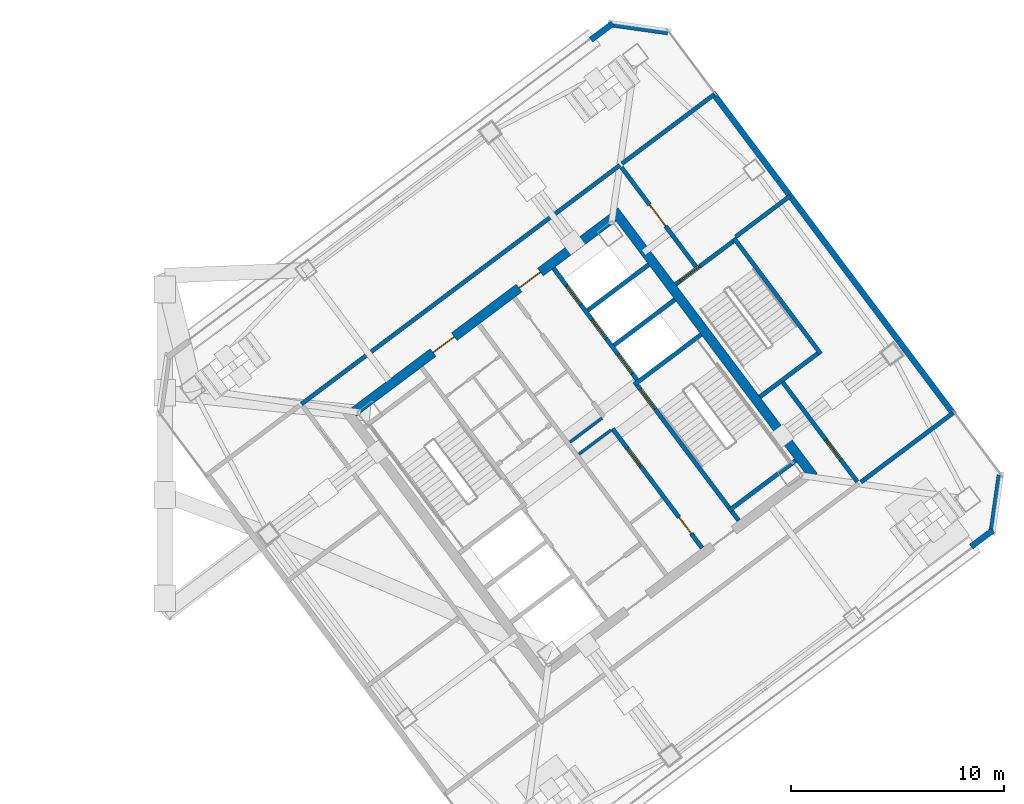
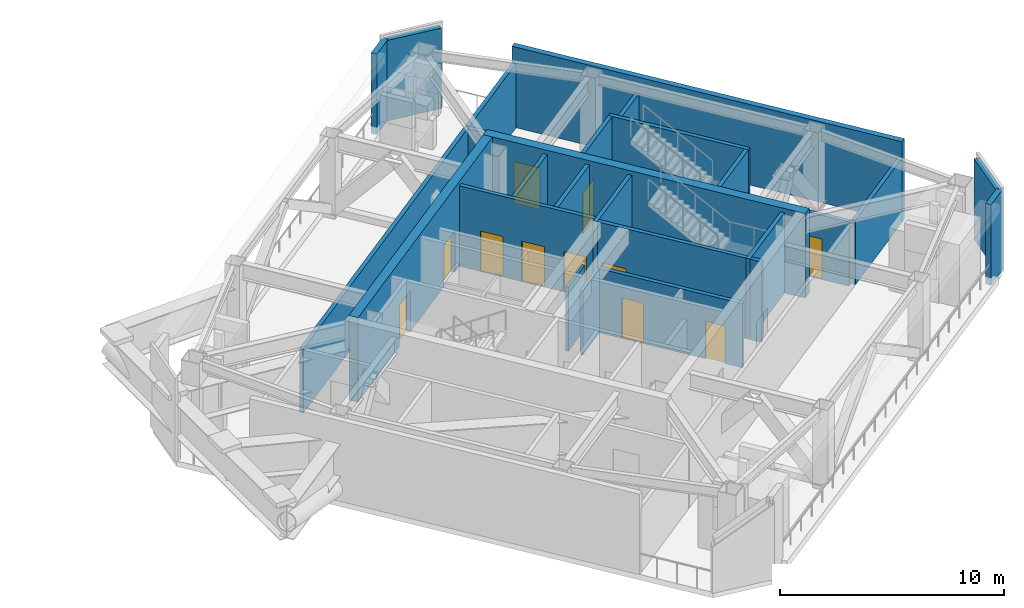
# One storey, part 8 of 15: 25 walls, 11 doors, 11 openings.
"""IFC4 building model written with IfcOpenShell, lengths in metres."""

import ifcopenshell
import ifcopenshell.guid

model = None  # the IFC model being written
_history = None  # IfcOwnerHistory: only IFC2X3 demands one
_inside = {}  # id of a spatial element -> (the spatial element, [elements in it])
_under = {}  # id of a project, library or spatial element -> (it, [spatial elements below it])
_declared = {}  # id of a project -> (the project, [libraries it declares])
_typed = {}  # id of a type object -> (the type object, [elements of that type])
_made_of = {}  # id of a material, layer set ... -> (it, [elements and type objects made of it])


def new_model(schema):
    """Start an empty IFC model of exactly this schema.

    Asked for "IFC4X3", IfcOpenShell would pick the latest addendum, in which some entities
    have other attributes; the version numbers below select the first issue.
    IFC2X3 requires an IfcOwnerHistory on every rooted entity: one is made here for all.
    """
    global model, _history
    if schema == "IFC4X3":
        model = ifcopenshell.file(schema_version=(4, 3, 0, 0))
    else:
        model = ifcopenshell.file(schema=schema)
    _inside.clear()
    _under.clear()
    _declared.clear()
    _typed.clear()
    _made_of.clear()
    _history = None
    if model.schema == "IFC2X3":
        org = make("IfcOrganization", Name="unknown")
        user = make(
            "IfcPersonAndOrganization",
            ThePerson=make("IfcPerson", FamilyName="unknown"),
            TheOrganization=org,
        )
        app = make(
            "IfcApplication",
            ApplicationDeveloper=org,
            Version="unknown",
            ApplicationFullName="unknown",
            ApplicationIdentifier="unknown",
        )
        _history = make(
            "IfcOwnerHistory",
            OwningUser=user,
            OwningApplication=app,
            ChangeAction="ADDED",
            CreationDate=0,
        )
    return model


def make(cls, **values):
    """One entity of the class cls with the attributes given. An attribute that is None is left unset."""
    return model.create_entity(
        cls, **{name: value for name, value in values.items() if value is not None}
    )


def rooted(cls, **values):
    """An entity with a GlobalId (a new one), such as an element, a storey or a relation."""
    return make(cls, GlobalId=ifcopenshell.guid.new(), OwnerHistory=_history, **values)


def si_unit(unit_type, name, prefix=None):
    """IfcSIUnit, for example si_unit("LENGTHUNIT", "METRE", prefix="MILLI")."""
    return make("IfcSIUnit", UnitType=unit_type, Prefix=prefix, Name=name)


def assignment(units):
    """IfcUnitAssignment: the units of a project."""
    return None if units is None else make("IfcUnitAssignment", Units=units)


def point(xyz):
    """IfcCartesianPoint."""
    return None if xyz is None else make("IfcCartesianPoint", Coordinates=xyz)


def direction(xyz):
    """IfcDirection."""
    return None if xyz is None else make("IfcDirection", DirectionRatios=xyz)


def frame(location, z_axis=None, x_axis=None):
    """IfcAxis2Placement3D, a coordinate frame: its origin and axes. An axis left out is left unset."""
    return make(
        "IfcAxis2Placement3D",
        Location=point(location),
        Axis=direction(z_axis),
        RefDirection=direction(x_axis),
    )


def frame_2d(location, x_axis=None):
    """IfcAxis2Placement2D, a coordinate frame in the plane: its origin and x axis."""
    return make(
        "IfcAxis2Placement2D", Location=point(location), RefDirection=direction(x_axis)
    )


def origin():
    """The frame at (0, 0, 0) with its axes left unset."""
    return frame((0.0, 0.0, 0.0))


def place(relative_to, where):
    """IfcLocalPlacement: puts the frame where relative to a parent placement (None: the world)."""
    return make(
        "IfcLocalPlacement", PlacementRelTo=relative_to, RelativePlacement=where
    )


def context(
    kind, dimensions, precision=None, world=None, true_north=None, identifier=None
):
    """IfcGeometricRepresentationContext, for example the 3D "Model" context."""
    return make(
        "IfcGeometricRepresentationContext",
        ContextIdentifier=identifier,
        ContextType=kind,
        CoordinateSpaceDimension=dimensions,
        Precision=precision,
        WorldCoordinateSystem=world,
        TrueNorth=true_north,
    )


def subcontext(parent, identifier, kind, view, scale=None):
    """IfcGeometricRepresentationSubContext, for example "Body" below "Model"."""
    return make(
        "IfcGeometricRepresentationSubContext",
        ContextIdentifier=identifier,
        ContextType=kind,
        ParentContext=parent,
        TargetScale=scale,
        TargetView=view,
    )


def project(units=None, contexts=None):
    """IfcProject with its units and contexts."""
    return rooted(
        "IfcProject",
        Name="project",
        RepresentationContexts=contexts,
        UnitsInContext=assignment(units),
    )


def spatial(cls, under=None, at=None, **own):
    """A site, building, storey or space (cls), placed at a placement, below another one or the project."""
    s = rooted(cls, ObjectPlacement=at, **own)
    if under is not None:
        _under.setdefault(under.id(), (under, []))[1].append(s)
    return s


def profile(cls, at=None, kind="AREA", **sizes):
    """A parametric profile (cls). Its sizes go by their IFC names, for example OverallWidth=200.0."""
    return make(cls, ProfileType=kind, Position=at, **sizes)


def rectangle(**sizes):
    """IfcRectangleProfileDef."""
    return profile("IfcRectangleProfileDef", **sizes)


def extrude(swept, where, along, depth):
    """IfcExtrudedAreaSolid: the profile swept, set in the frame where, extruded along a direction by depth."""
    return make(
        "IfcExtrudedAreaSolid",
        SweptArea=swept,
        Position=where,
        ExtrudedDirection=direction(along),
        Depth=depth,
    )


def shape(context_of_items, identifier, shape_type, items):
    """IfcShapeRepresentation: the items that make up one representation, for example the "Body"."""
    return make(
        "IfcShapeRepresentation",
        ContextOfItems=context_of_items,
        RepresentationIdentifier=identifier,
        RepresentationType=shape_type,
        Items=items,
    )


def material(Name=None, Category=None):
    """IfcMaterial."""
    return make("IfcMaterial", Name=Name, Category=Category)


def layer(
    of_material, thickness, ventilated=None, Name=None, Category=None, Priority=None
):
    """IfcMaterialLayer: one layer of a wall or slab, of a material (None: an air gap)."""
    return make(
        "IfcMaterialLayer",
        Material=of_material,
        LayerThickness=thickness,
        IsVentilated=ventilated,
        Name=Name,
        Category=Category,
        Priority=Priority,
    )


def layer_set(layers, Name=None):
    """IfcMaterialLayerSet."""
    return make("IfcMaterialLayerSet", MaterialLayers=layers, LayerSetName=Name)


def made_of(thing, what):
    """Note that an element or type object is made of a material, layer set ...; save() writes the relation."""
    if what is not None:
        _made_of.setdefault(what.id(), (what, []))[1].append(thing)
    return thing


def type_object(cls, material=None, **own):
    """A type object (cls), such as IfcWallType, which elements share."""
    return made_of(rooted(cls, **own), material)


def element(
    cls,
    number,
    at=None,
    inside=None,
    cuts=None,
    type_object=None,
    material=None,
    context=None,
    identifier="Body",
    shape_type=None,
    held_by="IfcProductDefinitionShape",
    body=None,
    shapes=None,
    **own,
):
    """One element of the class cls, such as IfcWall. Its Tag is "e" and its number.

    at: its placement. inside: the storey or other place that contains it. cuts: it is an
    opening in that element (IfcRelVoidsElement). A single representation is given by context,
    identifier, shape_type and body (its items); several are given by shapes. held_by: the class
    of the entity that holds the representations. save() writes the other relations.
    """
    e = rooted(cls, Tag="e%d" % number, ObjectPlacement=at, **own)
    if body is not None:
        shapes = [shape(context, identifier, shape_type, body)]
    if shapes is not None:
        e.Representation = make(held_by, Representations=shapes)
    if inside is not None:
        _inside.setdefault(inside.id(), (inside, []))[1].append(e)
    if cuts is not None:
        rooted(
            "IfcRelVoidsElement", RelatingBuildingElement=cuts, RelatedOpeningElement=e
        )
    if type_object is not None:
        _typed.setdefault(type_object.id(), (type_object, []))[1].append(e)
    return made_of(e, material)


def fill(opening, filler):
    """IfcRelFillsElement: the door or window that sits in an opening."""
    return rooted(
        "IfcRelFillsElement",
        RelatingOpeningElement=opening,
        RelatedBuildingElement=filler,
    )


def aggregate(whole, parts):
    """IfcRelAggregates: a whole, such as a stair, and the parts it consists of."""
    return rooted("IfcRelAggregates", RelatingObject=whole, RelatedObjects=parts)


def save(model, path):
    """Write the relations noted so far, then the file.

    IfcRelAggregates (storeys below a building ...), IfcRelContainedInSpatialStructure (elements
    in a storey), IfcRelDefinesByType, IfcRelAssociatesMaterial and IfcRelDeclares: one each for
    every whole, place, type object, material and project.
    """
    for whole, parts in _under.values():
        aggregate(whole, parts)
    for where, things in _inside.values():
        rooted(
            "IfcRelContainedInSpatialStructure",
            RelatedElements=things,
            RelatingStructure=where,
        )
    for kind, things in _typed.values():
        rooted("IfcRelDefinesByType", RelatedObjects=things, RelatingType=kind)
    for what, things in _made_of.values():
        rooted("IfcRelAssociatesMaterial", RelatedObjects=things, RelatingMaterial=what)
    for by, libraries in _declared.values():
        rooted("IfcRelDeclares", RelatingContext=by, RelatedDefinitions=libraries)
    model.write(path)


model = new_model("IFC4")

# Units and contexts
model_context = context("Model", 3, precision=1e-05, world=origin(), true_north=direction((0.0, 1.0)))
body_context = subcontext(model_context, "Body", "Model", "MODEL_VIEW")
ifc_project = project(units=[si_unit("LENGTHUNIT", "METRE"), si_unit("AREAUNIT", "SQUARE_METRE"), si_unit("VOLUMEUNIT", "CUBIC_METRE"), si_unit("PLANEANGLEUNIT", "RADIAN"), si_unit("MASSUNIT", "GRAM", prefix="KILO")], contexts=[model_context])

# Site, building, storey
site_placement = place(None, origin())
site = spatial("IfcSite", under=ifc_project, at=site_placement, CompositionType="ELEMENT")
building_placement = place(site_placement, origin())
building = spatial("IfcBuilding", under=site, at=building_placement, Name="Tashvorn Skyway Center", CompositionType="ELEMENT")
storey_placement = place(building_placement, frame((0.0, 0.0, 246.800048828125)))
storey = spatial("IfcBuildingStorey", under=building, at=storey_placement, Name="L67", CompositionType="ELEMENT", Elevation=246.800048828125)

# Wall
ifc_material_1 = material(Name="Concrete C50/60", Category="concrete")
ifc_layer_1 = layer(ifc_material_1, 0.449951171875)
ifc_layer_set_1 = layer_set([ifc_layer_1], Name="Concrete C50/60")
wall_type_1 = type_object("IfcWallType", Name="WALL-CORE-450", PredefinedType="SHEAR", material=ifc_layer_set_1)
wall_1_placement = place(storey_placement, frame((115.60400390625, 42.952880859375, 0.0), z_axis=(0.0, 0.0, 1.0), x_axis=(0.600005007985, -0.799996243986, 0.0)))
element("IfcWall", 1, at=wall_1_placement, inside=storey, type_object=wall_type_1, Name="Tower 2 L67 East Core Shear Wall", PredefinedType="SHEAR", context=body_context, shape_type="SweptSolid", body=[
    extrude(rectangle(XDim=15.60009765625, YDim=0.449951171875, at=frame_2d((7.800048828125, 0.0))), origin(), (0.0, 0.0, 1.0), 4.599853515625),
])

# Wall, openings, doors
wall_2_placement = place(storey_placement, frame((103.35107421875, 33.48193359375, 0.0), z_axis=(0.0, 0.0, 1.0), x_axis=(0.8, 0.6, 0.0)))
wall_2 = element("IfcWall", 2, at=wall_2_placement, inside=storey, type_object=wall_type_1, Name="Tower 2 L67 North Core Shear Wall", PredefinedType="SHEAR", context=body_context, shape_type="SweptSolid", body=[
    extrude(rectangle(XDim=15.260009765625, YDim=0.449951171875, at=frame_2d((7.6298828125, 0.0))), origin(), (0.0, 0.0, 1.0), 4.599853515625),
])
opening_1_placement = place(wall_2_placement, frame((4.679931640625, 0.0, 0.0)))
opening_1 = element("IfcOpeningElement", 3, at=opening_1_placement, cuts=wall_2, Name="Opening D-FFL-1250", PredefinedType="OPENING", context=body_context, shape_type="SweptSolid", body=[
    extrude(rectangle(XDim=1.25, YDim=2.25, at=frame_2d((0.625, 1.125))), frame((0.0, 0.23486328125, 0.0), z_axis=(0.0, -1.0, 0.0), x_axis=(1.0, 0.0, 0.0)), (0.0, 0.0, 1.0), 0.469970703125),
])
opening_2_placement = place(wall_2_placement, frame((9.72998046875, 0.0, 0.0)))
opening_2 = element("IfcOpeningElement", 4, at=opening_2_placement, cuts=wall_2, Name="Opening D-FFL-1250", PredefinedType="OPENING", context=body_context, shape_type="SweptSolid", body=[
    extrude(rectangle(XDim=1.25, YDim=2.25, at=frame_2d((0.625, 1.125))), frame((0.0, 0.23486328125, 0.0), z_axis=(0.0, -1.0, 0.0), x_axis=(1.0, 0.0, 0.0)), (0.0, 0.0, 1.0), 0.469970703125),
])
ifc_material_2 = material(Name="Hollow galvanized steel fire door assembly", Category="steel")
door_type_1 = type_object("IfcDoorType", Name="DOOR-FFL-1250", OperationType="NOTDEFINED", PredefinedType="DOOR", material=ifc_material_2)
door_1_placement = place(opening_1_placement, origin())
door_1 = element("IfcDoor", 5, at=door_1_placement, inside=storey, type_object=door_type_1, Name="Tower 2 L67 Core North Service Lobby Door", OperationType="SINGLE_SWING_LEFT", OverallHeight=2.25, OverallWidth=1.25, PredefinedType="DOOR", context=body_context, shape_type="SweptSolid", body=[
    extrude(rectangle(XDim=1.25, YDim=2.25, at=frame_2d((0.625, 1.125))), frame((0.0, 0.02490234375, 0.0), z_axis=(0.0, -1.0, 0.0), x_axis=(1.0, 0.0, 0.0)), (0.0, 0.0, 1.0), 0.050048828125),
])
fill(opening_1, door_1)
door_2_placement = place(opening_2_placement, origin())
door_2 = element("IfcDoor", 6, at=door_2_placement, inside=storey, type_object=door_type_1, Name="Tower 2 L67 Core North Lift Lobby Door", OperationType="SINGLE_SWING_RIGHT", OverallHeight=2.25, OverallWidth=1.25, PredefinedType="DOOR", context=body_context, shape_type="SweptSolid", body=[
    extrude(rectangle(XDim=1.25, YDim=2.25, at=frame_2d((0.625, 1.125))), frame((0.0, 0.02490234375, 0.0), z_axis=(0.0, -1.0, 0.0), x_axis=(1.0, 0.0, 0.0)), (0.0, 0.0, 1.0), 0.050048828125),
])
fill(opening_2, door_2)

# Walls
ifc_material_3 = material(Name="Precast concrete C40/50", Category="concrete")
ifc_layer_2 = layer(ifc_material_3, 0.280029296875)
ifc_layer_set_2 = layer_set([ifc_layer_2], Name="Precast concrete C40/50")
wall_type_2 = type_object("IfcWallType", Name="WALL-EXT-280", PredefinedType="SOLIDWALL", material=ifc_layer_set_2)
wall_3_placement = place(storey_placement, frame((133.39208984375, 27.944091796875, 0.0), z_axis=(0.0, 0.0, 1.0), x_axis=(-0.800022884459, -0.599969486176, 0.0)))
element("IfcWall", 7, at=wall_3_placement, inside=storey, type_object=wall_type_2, Name="Tower 2 L67 South Spandrel Pier L", PredefinedType="SOLIDWALL", context=body_context, shape_type="SweptSolid", body=[
    extrude(rectangle(XDim=1.2802734375, YDim=0.280029296875, at=frame_2d((0.64013671875, 0.0))), origin(), (0.0, 0.0, 1.0), 4.3798828125),
])
wall_4_placement = place(storey_placement, frame((114.511962890625, 50.98388671875, 0.0), z_axis=(0.0, 0.0, 1.0), x_axis=(0.799954220606, 0.600061034341, 0.0)))
element("IfcWall", 8, at=wall_4_placement, inside=storey, type_object=wall_type_2, Name="Tower 2 L67 North Spandrel Pier R", PredefinedType="SOLIDWALL", context=body_context, shape_type="SweptSolid", body=[
    extrude(rectangle(XDim=1.280029296875, YDim=0.280029296875, at=frame_2d((0.64013671875, 0.0))), origin(), (0.0, 0.0, 1.0), 4.3798828125),
])
wall_5_placement = place(storey_placement, frame((120.23388671875, 48.488037109375, 0.0), z_axis=(0.0, 0.0, 1.0), x_axis=(0.6, -0.8, 0.0)))
element("IfcWall", 9, at=wall_5_placement, inside=storey, type_object=wall_type_2, Name="Tower 2 L67 East Plant Wing Wall", PredefinedType="SOLIDWALL", context=body_context, shape_type="SweptSolid", body=[
    extrude(rectangle(XDim=18.900146484375, YDim=0.280029296875, at=frame_2d((9.4501953125, 0.0))), origin(), (0.0, 0.0, 1.0), 4.3798828125),
])
for number, where, z_axis, x_axis, name in (
    (10, (115.4599609375, 51.719970703125, 0.0), (0.0, 0.0, 1.0), (0.989956760759, -0.141370477216, 0.0), "Tower 2 L67 NE Precast Chamfer Wall"),
    (11, (133.719970703125, 30.5400390625, 0.0), (0.0, 0.0, 1.0), (-0.141370477216, -0.989956760759, 0.0), "Tower 2 L67 SE Precast Chamfer Wall"),
):
    element("IfcWall", number, at=place(storey_placement, frame(where, z_axis=z_axis, x_axis=x_axis)), inside=storey, type_object=wall_type_2, Name=name, PredefinedType="SOLIDWALL", context=body_context, shape_type="SweptSolid", body=[
        extrude(rectangle(XDim=2.687255859375, YDim=0.280029296875, at=frame_2d((1.34375, 0.0))), origin(), (0.0, 0.0, 1.0), 4.3798828125),
    ])
ifc_material_4 = material(Name="Gypsum board on cold-formed steel stud framing", Category="steel")
ifc_layer_3 = layer(ifc_material_4, 0.135009765625)
ifc_layer_set_3 = layer_set([ifc_layer_3], Name="Gypsum board on cold-formed steel stud framing")
wall_type_3 = type_object("IfcWallType", Name="WALL-RATED-135", PredefinedType="PARTITIONING", material=ifc_layer_set_3)
wall_6_placement = place(storey_placement, frame((113.946044921875, 31.52197265625, 0.0), z_axis=(0.0, 0.0, 1.0), x_axis=(0.8, 0.6, 0.0)))
element("IfcWall", 12, at=wall_6_placement, inside=storey, type_object=wall_type_3, Name="Tower 2 L67 Core Room Partition", PredefinedType="PARTITIONING", context=body_context, shape_type="SweptSolid", body=[
    extrude(rectangle(XDim=1.8798828125, YDim=0.135009765625, at=frame_2d((0.93994140625, 0.0))), origin(), (0.0, 0.0, 1.0), 3.490966796875),
])
wall_7_placement = place(storey_placement, frame((113.52587890625, 32.08203125, 0.0), z_axis=(0.0, 0.0, 1.0), x_axis=(0.800046745961, 0.599937666993, 0.0)))
element("IfcWall", 13, at=wall_7_placement, inside=storey, type_object=wall_type_3, Name="Tower 2 L67 Core Room Partition", PredefinedType="PARTITIONING", context=body_context, shape_type="SweptSolid", body=[
    extrude(rectangle(XDim=1.880126953125, YDim=0.135009765625, at=frame_2d((0.93994140625, 0.0))), origin(), (0.0, 0.0, 1.0), 3.490966796875),
])
ifc_material_5 = material(Name="Concrete C40/50", Category="concrete")
ifc_layer_4 = layer(ifc_material_5, 0.199951171875)
ifc_layer_set_4 = layer_set([ifc_layer_4], Name="Concrete C40/50")
wall_type_4 = type_object("IfcWallType", Name="WALL-SHAFT-200", PredefinedType="SOLIDWALL", material=ifc_layer_set_4)
for number, where, z_axis, x_axis, name in (
    (14, (115.590087890625, 36.6298828125, 0.0), (0.0, 0.0, 1.0), (0.799975449747, 0.600032732276, 0.0), "Tower 2 L67 High-Rise Shaft Divider"),
    (15, (114.360107421875, 38.27001953125, 0.0), (0.0, 0.0, 1.0), (0.800008183455, 0.599989088572, 0.0), "Tower 2 L67 High-Rise Shaft Divider"),
):
    element("IfcWall", number, at=place(storey_placement, frame(where, z_axis=z_axis, x_axis=x_axis)), inside=storey, type_object=wall_type_4, Name=name, PredefinedType="SOLIDWALL", context=body_context, shape_type="SweptSolid", body=[
        extrude(rectangle(XDim=3.580078125, YDim=0.199951171875, at=frame_2d((1.7900390625, 0.0))), origin(), (0.0, 0.0, 1.0), 4.3798828125),
    ])

# Wall, openings, doors
wall_8_placement = place(storey_placement, frame((119.72998046875, 27.110107421875, 0.0), z_axis=(0.0, 0.0, 1.0), x_axis=(-0.600005580459, 0.799995814625, 0.0)))
wall_8 = element("IfcWall", 16, at=wall_8_placement, inside=storey, type_object=wall_type_4, Name="Tower 2 L67 Low-Rise Core Wall", PredefinedType="SOLIDWALL", context=body_context, shape_type="SweptSolid", body=[
    extrude(rectangle(XDim=6.999755859375, YDim=0.199951171875, at=frame_2d((3.5, 0.0))), origin(), (0.0, 0.0, 1.0), 3.490966796875),
])
opening_3_placement = place(wall_8_placement, frame((0.85009765625, 0.0, 0.0)))
opening_3 = element("IfcOpeningElement", 17, at=opening_3_placement, cuts=wall_8, Name="Opening D-RT-950", PredefinedType="OPENING", context=body_context, shape_type="SweptSolid", body=[
    extrude(rectangle(XDim=0.949951171875, YDim=2.050048828125, at=frame_2d((0.47509765625, 1.02490234375))), frame((0.0, 0.10986328125, 0.0), z_axis=(0.0, -1.0, 0.0), x_axis=(1.0, 0.0, 0.0)), (0.0, 0.0, 1.0), 0.219970703125),
])
opening_4_placement = place(wall_8_placement, frame((4.800048828125, 0.0, 0.0)))
opening_4 = element("IfcOpeningElement", 18, at=opening_4_placement, cuts=wall_8, Name="Opening D-RT-1050", PredefinedType="OPENING", context=body_context, shape_type="SweptSolid", body=[
    extrude(rectangle(XDim=1.050048828125, YDim=2.199951171875, at=frame_2d((0.52490234375, 1.10009765625))), frame((0.0, 0.10986328125, 0.0), z_axis=(0.0, -1.0, 0.0), x_axis=(1.0, 0.0, 0.0)), (0.0, 0.0, 1.0), 0.219970703125),
])
door_type_2 = type_object("IfcDoorType", Name="DOOR-RATED-1050", OperationType="NOTDEFINED", PredefinedType="DOOR", material=ifc_material_2)
door_3_placement = place(opening_4_placement, origin())
door_3 = element("IfcDoor", 19, at=door_3_placement, inside=storey, type_object=door_type_2, Name="Tower 2 L67 Freed Core Room Door", OperationType="SINGLE_SWING_RIGHT", OverallHeight=2.199951171875, OverallWidth=1.050048828125, PredefinedType="DOOR", context=body_context, shape_type="SweptSolid", body=[
    extrude(rectangle(XDim=1.050048828125, YDim=2.199951171875, at=frame_2d((0.52490234375, 1.10009765625))), frame((0.0, 0.02490234375, 0.0), z_axis=(0.0, -1.0, 0.0), x_axis=(1.0, 0.0, 0.0)), (0.0, 0.0, 1.0), 0.050048828125),
])
fill(opening_4, door_3)
door_type_3 = type_object("IfcDoorType", Name="DOOR-RATED-950", OperationType="NOTDEFINED", PredefinedType="DOOR", material=ifc_material_2)
door_4_placement = place(opening_3_placement, origin())
door_4 = element("IfcDoor", 20, at=door_4_placement, inside=storey, type_object=door_type_3, Name="Tower 2 L67 Core Print Room Door", OperationType="SINGLE_SWING_LEFT", OverallHeight=2.050048828125, OverallWidth=0.949951171875, PredefinedType="DOOR", context=body_context, shape_type="SweptSolid", body=[
    extrude(rectangle(XDim=0.949951171875, YDim=2.050048828125, at=frame_2d((0.47509765625, 1.02490234375))), frame((0.0, 0.02490234375, 0.0), z_axis=(0.0, -1.0, 0.0), x_axis=(1.0, 0.0, 0.0)), (0.0, 0.0, 1.0), 0.050048828125),
])
fill(opening_3, door_4)

# Wall
wall_9_placement = place(storey_placement, frame((100.909912109375, 33.8701171875, 0.0), z_axis=(0.0, 0.0, 1.0), x_axis=(0.800004699972, 0.599993733319, 0.0)))
element("IfcWall", 21, at=wall_9_placement, inside=storey, type_object=wall_type_4, Name="Tower 2 L67 Plant Collar North Wall", PredefinedType="SOLIDWALL", context=body_context, shape_type="SweptSolid", body=[
    extrude(rectangle(XDim=18.7001953125, YDim=0.199951171875, at=frame_2d((9.35009765625, 0.0))), origin(), (0.0, 0.0, 1.0), 3.490966796875),
])

# Wall, opening, door
wall_10_placement = place(storey_placement, frame((115.94189453125, 44.993896484375, 0.0), z_axis=(0.0, 0.0, 1.0), x_axis=(0.600020100987, -0.799984923866, 0.0)))
wall_10 = element("IfcWall", 22, at=wall_10_placement, inside=storey, type_object=wall_type_4, Name="Tower 2 L67 Plant Collar East Wall", PredefinedType="SOLIDWALL", context=body_context, shape_type="SweptSolid", body=[
    extrude(rectangle(XDim=5.829833984375, YDim=0.199951171875, at=frame_2d((2.9150390625, 0.0))), origin(), (0.0, 0.0, 1.0), 3.490966796875),
])
opening_5_placement = place(wall_10_placement, frame((2.199951171875, 0.0, 0.0)))
opening_5 = element("IfcOpeningElement", 23, at=opening_5_placement, cuts=wall_10, Name="Opening D-FFL-1250", PredefinedType="OPENING", context=body_context, shape_type="SweptSolid", body=[
    extrude(rectangle(XDim=1.25, YDim=2.25, at=frame_2d((0.625, 1.125))), frame((0.0, 0.10986328125, 0.0), z_axis=(0.0, -1.0, 0.0), x_axis=(1.0, 0.0, 0.0)), (0.0, 0.0, 1.0), 0.219970703125),
])
door_5_placement = place(opening_5_placement, origin())
door_5 = element("IfcDoor", 24, at=door_5_placement, inside=storey, type_object=door_type_1, Name="Tower 2 L67 East Refuge Area Door", OperationType="SINGLE_SWING_LEFT", OverallHeight=2.25, OverallWidth=1.25, PredefinedType="DOOR", context=body_context, shape_type="SweptSolid", body=[
    extrude(rectangle(XDim=1.25, YDim=2.25, at=frame_2d((0.625, 1.125))), frame((0.0, 0.02490234375, 0.0), z_axis=(0.0, -1.0, 0.0), x_axis=(1.0, 0.0, 0.0)), (0.0, 0.0, 1.0), 0.050048828125),
])
fill(opening_5, door_5)

wall_11_placement = place(storey_placement, frame((123.52001953125, 34.889892578125, 0.0), z_axis=(0.0, 0.0, 1.0), x_axis=(0.600020100987, -0.799984923866, 0.0)))
wall_11 = element("IfcWall", 25, at=wall_11_placement, inside=storey, type_object=wall_type_4, Name="Tower 2 L67 Plant Collar East Wall South", PredefinedType="SOLIDWALL", context=body_context, shape_type="SweptSolid", body=[
    extrude(rectangle(XDim=5.829833984375, YDim=0.199951171875, at=frame_2d((2.9150390625, 0.0))), origin(), (0.0, 0.0, 1.0), 3.490966796875),
])
opening_6_placement = place(wall_11_placement, frame((3.3701171875, 0.0, 0.0)))
opening_6 = element("IfcOpeningElement", 26, at=opening_6_placement, cuts=wall_11, Name="Opening D-ST-1150", PredefinedType="OPENING", context=body_context, shape_type="SweptSolid", body=[
    extrude(rectangle(XDim=1.14990234375, YDim=2.199951171875, at=frame_2d((0.574951171875, 1.10009765625))), frame((0.0, 0.10986328125, 0.0), z_axis=(0.0, -1.0, 0.0), x_axis=(1.0, 0.0, 0.0)), (0.0, 0.0, 1.0), 0.219970703125),
])
door_type_4 = type_object("IfcDoorType", Name="DOOR-STAIR-1150", OperationType="NOTDEFINED", PredefinedType="DOOR", material=ifc_material_2)
door_6_placement = place(opening_6_placement, origin())
door_6 = element("IfcDoor", 27, at=door_6_placement, inside=storey, type_object=door_type_4, Name="Tower 2 L67 Chiller Plant Door", OperationType="SINGLE_SWING_RIGHT", OverallHeight=2.199951171875, OverallWidth=1.14990234375, PredefinedType="DOOR", context=body_context, shape_type="SweptSolid", body=[
    extrude(rectangle(XDim=1.14990234375, YDim=2.199951171875, at=frame_2d((0.574951171875, 1.10009765625))), frame((0.0, 0.02490234375, 0.0), z_axis=(0.0, -1.0, 0.0), x_axis=(1.0, 0.0, 0.0)), (0.0, 0.0, 1.0), 0.050048828125),
])
fill(opening_6, door_6)

# Walls
for number, where, z_axis, x_axis, name in (
    (28, (115.966064453125, 45.162109375, 0.0), (0.0, 0.0, 1.0), (0.800005415472, 0.599992779303, 0.0), "Tower 2 L67 Plant Wing Wall EN"),
    (29, (127.18603515625, 30.201904296875, 0.0), (0.0, 0.0, 1.0), (0.799983753633, 0.600021661212, 0.0), "Tower 2 L67 Plant Wing Wall ES"),
):
    element("IfcWall", number, at=place(storey_placement, frame(where, z_axis=z_axis, x_axis=x_axis)), inside=storey, type_object=wall_type_4, Name=name, PredefinedType="SOLIDWALL", context=body_context, shape_type="SweptSolid", body=[
        extrude(rectangle(XDim=5.409912109375, YDim=0.199951171875, at=frame_2d((2.705078125, 0.0))), origin(), (0.0, 0.0, 1.0), 3.490966796875),
    ])
wall_12_placement = place(storey_placement, frame((121.303955078125, 41.72802734375, 0.0), z_axis=(0.0, 0.0, 1.0), x_axis=(0.800018310174, 0.599975585658, 0.0)))
element("IfcWall", 30, at=wall_12_placement, inside=storey, type_object=wall_type_4, Name="Tower 2 L67 Plant Wing Wall EM1", PredefinedType="SOLIDWALL", context=body_context, shape_type="SweptSolid", body=[
    extrude(rectangle(XDim=3.199951171875, YDim=0.199951171875, at=frame_2d((1.60009765625, 0.0))), origin(), (0.0, 0.0, 1.0), 3.490966796875),
])

# Wall, opening, door
ifc_layer_5 = layer(ifc_material_5, 0.199951171875)
ifc_layer_set_5 = layer_set([ifc_layer_5], Name="Concrete C40/50")
wall_type_5 = type_object("IfcWallType", Name="WALL-STSHF-200", PredefinedType="SHEAR", material=ifc_layer_set_5)
wall_13_placement = place(storey_placement, frame((116.56005859375, 34.919921875, 0.0), z_axis=(0.0, 0.0, 1.0), x_axis=(0.59999041401, -0.800007189403, 0.0)))
wall_13 = element("IfcWall", 31, at=wall_13_placement, inside=storey, type_object=wall_type_5, Name="Tower 2 L67 Stair 2 Enclosure Wall", PredefinedType="SHEAR", context=body_context, shape_type="SweptSolid", body=[
    extrude(rectangle(XDim=8.14990234375, YDim=0.199951171875, at=frame_2d((4.074951171875, 0.0))), origin(), (0.0, 0.0, 1.0), 4.3798828125),
])
opening_7_placement = place(wall_13_placement, frame((0.449951171875, 0.0, 0.0)))
opening_7 = element("IfcOpeningElement", 32, at=opening_7_placement, cuts=wall_13, Name="Opening D-ST-1150", PredefinedType="OPENING", context=body_context, shape_type="SweptSolid", body=[
    extrude(rectangle(XDim=1.14990234375, YDim=2.199951171875, at=frame_2d((0.574951171875, 1.10009765625))), frame((0.0, 0.10986328125, 0.0), z_axis=(0.0, -1.0, 0.0), x_axis=(1.0, 0.0, 0.0)), (0.0, 0.0, 1.0), 0.219970703125),
])
door_7_placement = place(opening_7_placement, origin())
door_7 = element("IfcDoor", 33, at=door_7_placement, inside=storey, type_object=door_type_4, Name="Tower 2 L67 Exit Stair 2 Door", OperationType="SINGLE_SWING_RIGHT", OverallHeight=2.199951171875, OverallWidth=1.14990234375, PredefinedType="DOOR", context=body_context, shape_type="SweptSolid", body=[
    extrude(rectangle(XDim=1.14990234375, YDim=2.199951171875, at=frame_2d((0.574951171875, 1.10009765625))), frame((0.0, 0.02490234375, 0.0), z_axis=(0.0, -1.0, 0.0), x_axis=(1.0, 0.0, 0.0)), (0.0, 0.0, 1.0), 0.050048828125),
])
fill(opening_7, door_7)

# Walls
for number, where, z_axis, x_axis, name in (
    (34, (116.5400390625, 34.780029296875, 0.0), (0.0, 0.0, 1.0), (0.800014909178, 0.599980120581, 0.0), "Tower 2 L67 Stair 2 North Wall"),
    (35, (120.97998046875, 28.860107421875, 0.0), (0.0, 0.0, 1.0), (0.800014909178, 0.599980120581, 0.0), "Tower 2 L67 Stair 2 South Wall"),
):
    element("IfcWall", number, at=place(storey_placement, frame(where, z_axis=z_axis, x_axis=x_axis)), inside=storey, type_object=wall_type_5, Name=name, PredefinedType="SHEAR", context=body_context, shape_type="SweptSolid", body=[
        extrude(rectangle(XDim=3.929931640625, YDim=0.199951171875, at=frame_2d((1.96484375, 0.0))), origin(), (0.0, 0.0, 1.0), 4.3798828125),
    ])

# Wall, openings, doors
wall_14_placement = place(storey_placement, frame((112.75, 40.25, 0.0), z_axis=(0.0, 0.0, 1.0), x_axis=(0.599994036198, -0.800004472816, 0.0)))
wall_14 = element("IfcWall", 36, at=wall_14_placement, inside=storey, type_object=wall_type_5, Name="Tower 2 L67 High-Rise Lift Shaft Front Wall", PredefinedType="SHEAR", context=body_context, shape_type="SweptSolid", body=[
    extrude(rectangle(XDim=6.550048828125, YDim=0.199951171875, at=frame_2d((3.27490234375, 0.0))), origin(), (0.0, 0.0, 1.0), 4.3798828125),
])
opening_8_placement = place(wall_14_placement, frame((5.074951171875, 0.0, 0.0)))
opening_8 = element("IfcOpeningElement", 37, at=opening_8_placement, cuts=wall_14, Name="Opening LD-HR-T2-1-L67", PredefinedType="OPENING", context=body_context, shape_type="SweptSolid", body=[
    extrude(rectangle(XDim=1.10009765625, YDim=2.199951171875, at=frame_2d((0.550048828125, 1.10009765625))), frame((0.0, 0.10986328125, 0.0), z_axis=(0.0, -1.0, 0.0), x_axis=(1.0, 0.0, 0.0)), (0.0, 0.0, 1.0), 0.219970703125),
])
opening_9_placement = place(wall_14_placement, frame((3.02490234375, 0.0, 0.0)))
opening_9 = element("IfcOpeningElement", 38, at=opening_9_placement, cuts=wall_14, Name="Opening LD-HR-T2-2-L67", PredefinedType="OPENING", context=body_context, shape_type="SweptSolid", body=[
    extrude(rectangle(XDim=1.10009765625, YDim=2.199951171875, at=frame_2d((0.550048828125, 1.10009765625))), frame((0.0, 0.10986328125, 0.0), z_axis=(0.0, -1.0, 0.0), x_axis=(1.0, 0.0, 0.0)), (0.0, 0.0, 1.0), 0.219970703125),
])
opening_10_placement = place(wall_14_placement, frame((1.02490234375, 0.0, 0.0)))
opening_10 = element("IfcOpeningElement", 39, at=opening_10_placement, cuts=wall_14, Name="Opening LD-HR-T2-3-L67", PredefinedType="OPENING", context=body_context, shape_type="SweptSolid", body=[
    extrude(rectangle(XDim=1.10009765625, YDim=2.199951171875, at=frame_2d((0.550048828125, 1.10009765625))), frame((0.0, 0.10986328125, 0.0), z_axis=(0.0, -1.0, 0.0), x_axis=(1.0, 0.0, 0.0)), (0.0, 0.0, 1.0), 0.219970703125),
])
ifc_material_6 = material(Name="Stainless steel landing door", Category="steel")
door_type_5 = type_object("IfcDoorType", Name="DOOR-LIFT-1100", OperationType="SLIDING_TO_LEFT", PredefinedType="DOOR", material=ifc_material_6)
door_8_placement = place(opening_8_placement, origin())
door_8 = element("IfcDoor", 40, at=door_8_placement, inside=storey, type_object=door_type_5, Name="Lift HR-T2-1 L67 Landing Door", OperationType="SLIDING_TO_LEFT", OverallHeight=2.199951171875, OverallWidth=1.10009765625, PredefinedType="DOOR", context=body_context, shape_type="SweptSolid", body=[
    extrude(rectangle(XDim=1.10009765625, YDim=2.199951171875, at=frame_2d((0.550048828125, 1.10009765625))), frame((0.0, 0.02490234375, 0.0), z_axis=(0.0, -1.0, 0.0), x_axis=(1.0, 0.0, 0.0)), (0.0, 0.0, 1.0), 0.050048828125),
])
fill(opening_8, door_8)
door_9_placement = place(opening_9_placement, origin())
door_9 = element("IfcDoor", 41, at=door_9_placement, inside=storey, type_object=door_type_5, Name="Lift HR-T2-2 L67 Landing Door", OperationType="SLIDING_TO_LEFT", OverallHeight=2.199951171875, OverallWidth=1.10009765625, PredefinedType="DOOR", context=body_context, shape_type="SweptSolid", body=[
    extrude(rectangle(XDim=1.10009765625, YDim=2.199951171875, at=frame_2d((0.550048828125, 1.10009765625))), frame((0.0, 0.02490234375, 0.0), z_axis=(0.0, -1.0, 0.0), x_axis=(1.0, 0.0, 0.0)), (0.0, 0.0, 1.0), 0.050048828125),
])
fill(opening_9, door_9)
door_10_placement = place(opening_10_placement, origin())
door_10 = element("IfcDoor", 42, at=door_10_placement, inside=storey, type_object=door_type_5, Name="Lift HR-T2-3 L67 Landing Door", OperationType="SLIDING_TO_LEFT", OverallHeight=2.199951171875, OverallWidth=1.10009765625, PredefinedType="DOOR", context=body_context, shape_type="SweptSolid", body=[
    extrude(rectangle(XDim=1.10009765625, YDim=2.199951171875, at=frame_2d((0.550048828125, 1.10009765625))), frame((0.0, 0.02490234375, 0.0), z_axis=(0.0, -1.0, 0.0), x_axis=(1.0, 0.0, 0.0)), (0.0, 0.0, 1.0), 0.050048828125),
])
fill(opening_10, door_10)

# Wall
wall_15_placement = place(storey_placement, frame((125.303955078125, 36.22802734375, 0.0), z_axis=(0.0, 0.0, 1.0), x_axis=(-0.59998851072, 0.800008616831, 0.0)))
element("IfcWall", 43, at=wall_15_placement, inside=storey, type_object=wall_type_5, Name="Tower 2 L67 Stair 3 Outer Wall", PredefinedType="SHEAR", context=body_context, shape_type="SweptSolid", body=[
    extrude(rectangle(XDim=6.7998046875, YDim=0.199951171875, at=frame_2d((3.39990234375, 0.0))), origin(), (0.0, 0.0, 1.0), 4.3798828125),
])

# Wall, opening, door
wall_16_placement = place(storey_placement, frame((121.2041015625, 41.528076171875, 0.0), z_axis=(0.0, 0.0, 1.0), x_axis=(-0.800017232136, -0.599977023131, 0.0)))
wall_16 = element("IfcWall", 44, at=wall_16_placement, inside=storey, type_object=wall_type_5, Name="Tower 2 L67 Stair 3 Enclosure Wall", PredefinedType="SHEAR", context=body_context, shape_type="SweptSolid", body=[
    extrude(rectangle(XDim=3.400146484375, YDim=0.199951171875, at=frame_2d((1.7001953125, 0.0))), origin(), (0.0, 0.0, 1.0), 4.3798828125),
])
opening_11_placement = place(wall_16_placement, frame((1.97509765625, 0.0, 0.0)))
opening_11 = element("IfcOpeningElement", 45, at=opening_11_placement, cuts=wall_16, Name="Opening D-ST-1150", PredefinedType="OPENING", context=body_context, shape_type="SweptSolid", body=[
    extrude(rectangle(XDim=1.14990234375, YDim=2.199951171875, at=frame_2d((0.574951171875, 1.10009765625))), frame((0.0, 0.10986328125, 0.0), z_axis=(0.0, -1.0, 0.0), x_axis=(1.0, 0.0, 0.0)), (0.0, 0.0, 1.0), 0.219970703125),
])
door_11_placement = place(opening_11_placement, origin())
door_11 = element("IfcDoor", 46, at=door_11_placement, inside=storey, type_object=door_type_4, Name="Tower 2 L67 Exit Stair 3 Door", OperationType="SINGLE_SWING_RIGHT", OverallHeight=2.199951171875, OverallWidth=1.14990234375, PredefinedType="DOOR", context=body_context, shape_type="SweptSolid", body=[
    extrude(rectangle(XDim=1.14990234375, YDim=2.199951171875, at=frame_2d((0.574951171875, 1.10009765625))), frame((0.0, 0.02490234375, 0.0), z_axis=(0.0, -1.0, 0.0), x_axis=(1.0, 0.0, 0.0)), (0.0, 0.0, 1.0), 0.050048828125),
])
fill(opening_11, door_11)

# Wall
wall_17_placement = place(storey_placement, frame((122.444091796875, 34.2080078125, 0.0), z_axis=(0.0, 0.0, 1.0), x_axis=(0.79999138319, 0.600011488909, 0.0)))
element("IfcWall", 47, at=wall_17_placement, inside=storey, type_object=wall_type_5, Name="Tower 2 L67 Stair 3 South Wall", PredefinedType="SHEAR", context=body_context, shape_type="SweptSolid", body=[
    extrude(rectangle(XDim=3.39990234375, YDim=0.199951171875, at=frame_2d((1.699951171875, 0.0))), origin(), (0.0, 0.0, 1.0), 4.3798828125),
])

save(model, "model.ifc")
